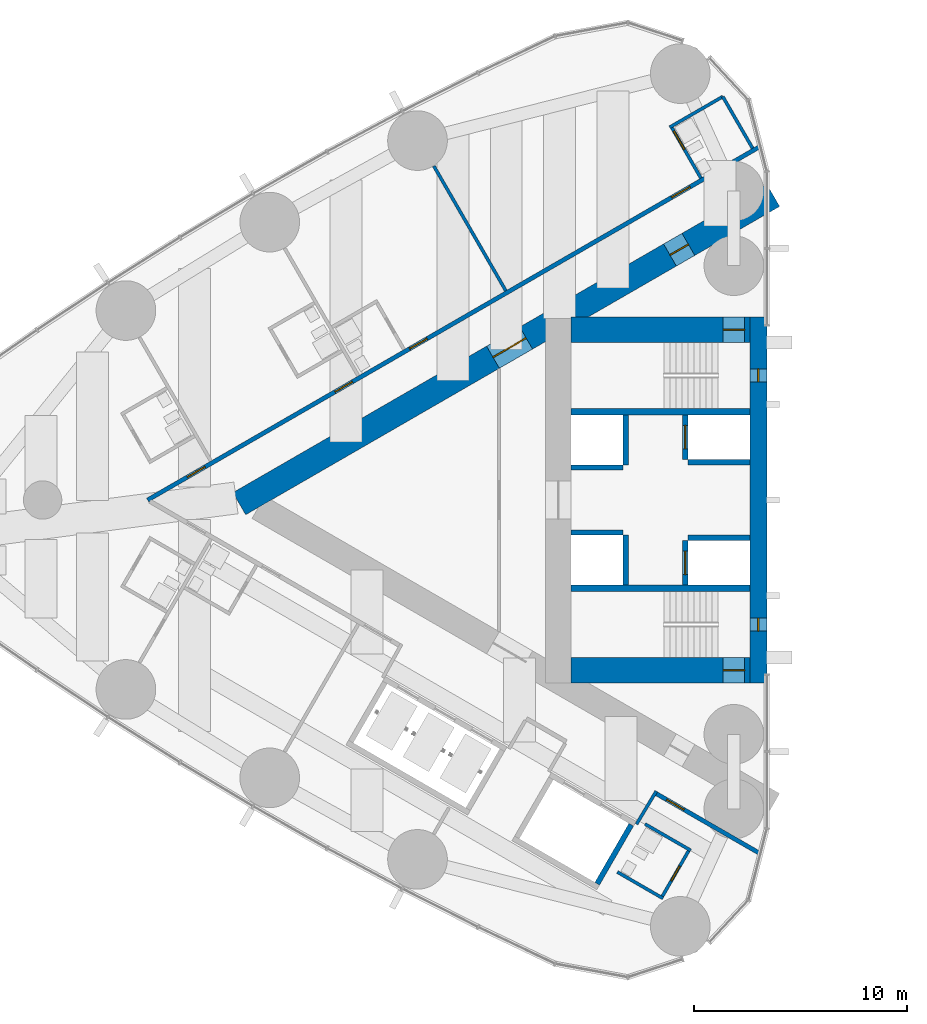
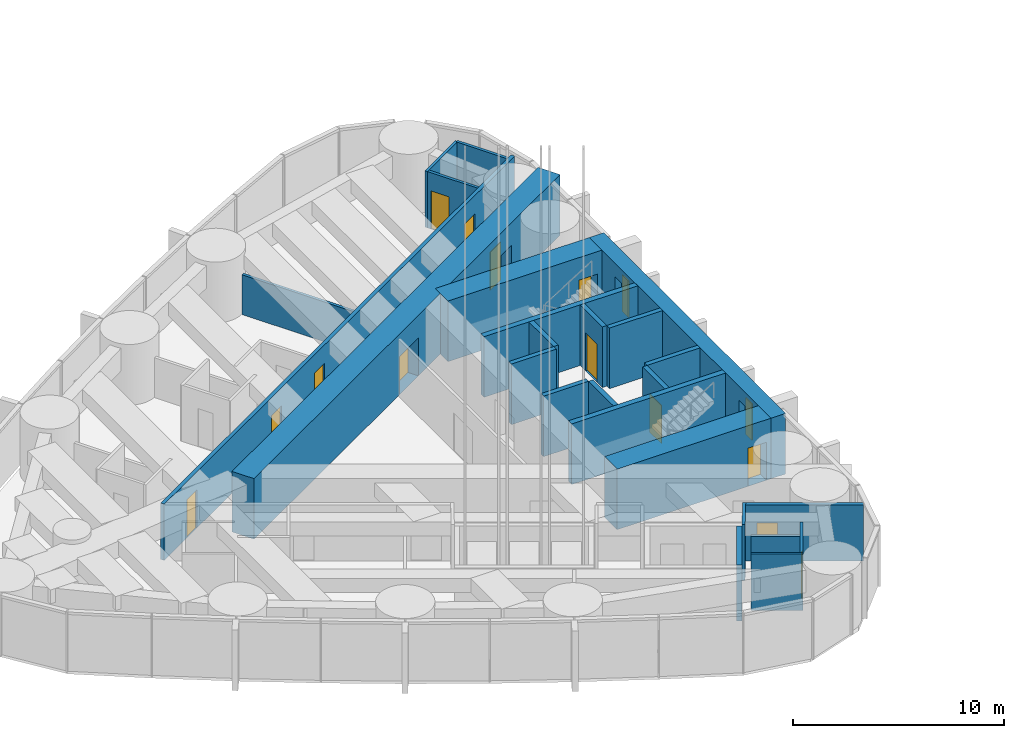
# One storey, part 13 of 21: 25 walls, 13 doors, 2 windows, 15 openings.
"""IFC4 building model written with IfcOpenShell, lengths in metres."""

from ifc_helpers import new_model, si_unit, direction, frame, frame_2d, origin, place, context, subcontext, project, spatial, rectangle, extrude, material, layer, layer_set, type_object, element, fill, save


model = new_model("IFC4")

# Units and contexts
model_context = context("Model", 3, precision=1e-05, world=origin(), true_north=direction((0.0, 1.0)))
body_context = subcontext(model_context, "Body", "Model", "MODEL_VIEW")
ifc_project = project(units=[si_unit("LENGTHUNIT", "METRE"), si_unit("AREAUNIT", "SQUARE_METRE"), si_unit("VOLUMEUNIT", "CUBIC_METRE"), si_unit("PLANEANGLEUNIT", "RADIAN"), si_unit("MASSUNIT", "GRAM", prefix="KILO")], contexts=[model_context])

# Site, building, storey
site_placement = place(None, origin())
site = spatial("IfcSite", under=ifc_project, at=site_placement, CompositionType="ELEMENT")
building_placement = place(site_placement, origin())
building = spatial("IfcBuilding", under=site, at=building_placement, Name="Lancet Gate Hotel", CompositionType="ELEMENT")
storey_placement = place(building_placement, frame((0.0, 0.0, 156.300048828125)))
storey = spatial("IfcBuildingStorey", under=building, at=storey_placement, Name="L41", CompositionType="ELEMENT", Elevation=156.300048828125)

# Wall
ifc_material_1 = material(Name="Moisture resistant board partition")
ifc_layer_1 = layer(ifc_material_1, 0.14990234375)
ifc_layer_set_1 = layer_set([ifc_layer_1], Name="Bathroom wall 150")
wall_type_1 = type_object("IfcWallType", Name="Bathroom wall 150", PredefinedType="PARTITIONING", material=ifc_layer_set_1)
wall_1_placement = place(storey_placement, frame((-29.56982421875, 18.936279296875, 0.0), z_axis=(0.0, 0.0, 1.0), x_axis=(-0.866018712932, -0.500011588718, 0.0)))
element("IfcWall", 1, at=wall_1_placement, inside=storey, type_object=wall_type_1, Name="T1 bathroom wall 150 L41", PredefinedType="PARTITIONING", context=body_context, shape_type="SweptSolid", body=[
    extrude(rectangle(XDim=2.875, YDim=0.14990234375, at=frame_2d((1.4375, 0.0))), origin(), (0.0, 0.0, 1.0), 3.25),
])

# Wall, opening, door
wall_2_placement = place(storey_placement, frame((-30.5947265625, 15.111328125, 0.0), z_axis=(0.0, 0.0, 1.0), x_axis=(-0.49998411664, 0.866034573852, 0.0)))
wall_2 = element("IfcWall", 2, at=wall_2_placement, inside=storey, type_object=wall_type_1, Name="T1 bathroom wall 150 L41", PredefinedType="PARTITIONING", context=body_context, shape_type="SweptSolid", body=[
    extrude(rectangle(XDim=2.7998046875, YDim=0.14990234375, at=frame_2d((1.39990234375, 0.0))), origin(), (0.0, 0.0, 1.0), 3.25),
])
opening_1_placement = place(wall_2_placement, frame((1.550048828125, 0.0, 0.0)))
opening_1 = element("IfcOpeningElement", 3, at=opening_1_placement, cuts=wall_2, Name="Opening 4101-B", PredefinedType="OPENING", context=body_context, shape_type="SweptSolid", body=[
    extrude(rectangle(XDim=1.0, YDim=2.199951171875, at=frame_2d((0.5, 1.10009765625))), frame((0.0, 0.0849609375, 0.0), z_axis=(0.0, -1.0, 0.0), x_axis=(1.0, 0.0, 0.0)), (0.0, 0.0, 1.0), 0.169921875),
])
ifc_material_2 = material(Name="Timber door set", Category="wood")
door_type_1 = type_object("IfcDoorType", Name="Accessible en-suite door 1000", OperationType="SINGLE_SWING_RIGHT", PredefinedType="DOOR", material=ifc_material_2)
door_1_placement = place(opening_1_placement, origin())
door_1 = element("IfcDoor", 4, at=door_1_placement, inside=storey, type_object=door_type_1, Name="4101-B", OperationType="SINGLE_SWING_RIGHT", OverallHeight=2.199951171875, OverallWidth=1.0, PredefinedType="DOOR", context=body_context, shape_type="SweptSolid", body=[
    extrude(rectangle(XDim=1.0, YDim=2.199951171875, at=frame_2d((0.5, 1.10009765625))), frame((0.0, 0.02490234375, 0.0), z_axis=(0.0, -1.0, 0.0), x_axis=(1.0, 0.0, 0.0)), (0.0, 0.0, 1.0), 0.050048828125),
])
fill(opening_1, door_1)

# Walls
wall_3_placement = place(storey_placement, frame((-28.169921875, 16.51123046875, 0.0), z_axis=(0.0, 0.0, 1.0), x_axis=(-0.49994636267, 0.866056369097, 0.0)))
element("IfcWall", 5, at=wall_3_placement, inside=storey, type_object=wall_type_1, Name="T1 bathroom wall 150 L41", PredefinedType="PARTITIONING", context=body_context, shape_type="SweptSolid", body=[
    extrude(rectangle(XDim=2.800048828125, YDim=0.14990234375, at=frame_2d((1.39990234375, 0.0))), origin(), (0.0, 0.0, 1.0), 3.25),
])
wall_4_placement = place(storey_placement, frame((-32.3759765625, -18.70166015625, 0.0), z_axis=(0.0, 0.0, 1.0), x_axis=(-0.866006523861, 0.500032699561, 0.0)))
element("IfcWall", 6, at=wall_4_placement, inside=storey, type_object=wall_type_1, Name="T1 bathroom wall 150 L41", PredefinedType="PARTITIONING", context=body_context, shape_type="SweptSolid", body=[
    extrude(rectangle(XDim=2.474853515625, YDim=0.14990234375, at=frame_2d((1.2373046875, 0.0))), origin(), (0.0, 0.0, 1.0), 3.25),
])

# Wall, opening, door
wall_5_placement = place(storey_placement, frame((-31.140869140625, -16.41259765625, 0.0), z_axis=(0.0, 0.0, 1.0), x_axis=(-0.500006934395, -0.866021400173, 0.0)))
wall_5 = element("IfcWall", 7, at=wall_5_placement, inside=storey, type_object=wall_type_1, Name="T1 bathroom wall 150 L41", PredefinedType="PARTITIONING", context=body_context, shape_type="SweptSolid", body=[
    extrude(rectangle(XDim=2.60009765625, YDim=0.14990234375, at=frame_2d((1.300048828125, 0.0))), origin(), (0.0, 0.0, 1.0), 3.25),
])
opening_2_placement = place(wall_5_placement, frame((0.89990234375, 0.0, 0.0)))
opening_2 = element("IfcOpeningElement", 8, at=opening_2_placement, cuts=wall_5, Name="Opening 4108-B", PredefinedType="OPENING", context=body_context, shape_type="SweptSolid", body=[
    extrude(rectangle(XDim=0.800048828125, YDim=2.199951171875, at=frame_2d((0.39990234375, 1.10009765625))), frame((0.0, 0.0849609375, 0.0), z_axis=(0.0, -1.0, 0.0), x_axis=(1.0, 0.0, 0.0)), (0.0, 0.0, 1.0), 0.169921875),
])
ifc_material_3 = material(Name="Timber door set", Category="wood")
door_type_2 = type_object("IfcDoorType", Name="Bathroom door 800", OperationType="SINGLE_SWING_RIGHT", PredefinedType="DOOR", material=ifc_material_3)
door_2_placement = place(opening_2_placement, origin())
door_2 = element("IfcDoor", 9, at=door_2_placement, inside=storey, type_object=door_type_2, Name="4108-B", OperationType="SINGLE_SWING_RIGHT", OverallHeight=2.199951171875, OverallWidth=0.800048828125, PredefinedType="DOOR", context=body_context, shape_type="SweptSolid", body=[
    extrude(rectangle(XDim=0.800048828125, YDim=2.199951171875, at=frame_2d((0.39990234375, 1.10009765625))), frame((0.0, 0.02490234375, 0.0), z_axis=(0.0, -1.0, 0.0), x_axis=(1.0, 0.0, 0.0)), (0.0, 0.0, 1.0), 0.050048828125),
])
fill(opening_2, door_2)

# Wall
wall_6_placement = place(storey_placement, frame((-31.075927734375, -16.449951171875, 0.0), z_axis=(0.0, 0.0, 1.0), x_axis=(-0.866073894602, 0.499916002032, 0.0)))
element("IfcWall", 10, at=wall_6_placement, inside=storey, type_object=wall_type_1, Name="T1 bathroom wall 150 L41", PredefinedType="PARTITIONING", context=body_context, shape_type="SweptSolid", body=[
    extrude(rectangle(XDim=2.47509765625, YDim=0.14990234375, at=frame_2d((1.237548828125, 0.0))), origin(), (0.0, 0.0, 1.0), 2.449951171875),
])

# Wall, openings, doors
ifc_material_4 = material(Name="Concrete C70/85", Category="concrete")
ifc_layer_2 = layer(ifc_material_4, 1.199951171875)
ifc_layer_set_2 = layer_set([ifc_layer_2], Name="Buttress wall 1200")
wall_type_2 = type_object("IfcWallType", Name="Buttress wall 1200", PredefinedType="SHEAR", material=ifc_layer_set_2)
wall_7_placement = place(storey_placement, frame((-27.199951171875, 14.300048828125, 0.0), z_axis=(0.0, 0.0, 1.0), x_axis=(-0.866026593062, -0.499997940104, 0.0)))
wall_7 = element("IfcWall", 11, at=wall_7_placement, inside=storey, type_object=wall_type_2, Name="T1 buttress wall S L41", PredefinedType="SHEAR", context=body_context, shape_type="SweptSolid", body=[
    extrude(rectangle(XDim=28.9462890625, YDim=1.199951171875, at=frame_2d((14.47314453125, 0.0))), origin(), (0.0, 0.0, 1.0), 3.5),
])
opening_3_placement = place(wall_7_placement, frame((4.60009765625, 0.0, 0.0)))
opening_3 = element("IfcOpeningElement", 12, at=opening_3_placement, cuts=wall_7, Name="Opening T1-L41-LS", PredefinedType="OPENING", context=body_context, shape_type="SweptSolid", body=[
    extrude(rectangle(XDim=1.0, YDim=2.199951171875, at=frame_2d((0.5, 1.10009765625))), frame((0.0, 0.60986328125, 0.0), z_axis=(0.0, -1.0, 0.0), x_axis=(1.0, 0.0, 0.0)), (0.0, 0.0, 1.0), 1.219970703125),
])
opening_4_placement = place(wall_7_placement, frame((13.39453125, 0.0, 0.0)))
opening_4 = element("IfcOpeningElement", 13, at=opening_4_placement, cuts=wall_7, Name="Opening T1-L41-LHS", PredefinedType="OPENING", context=body_context, shape_type="SweptSolid", body=[
    extrude(rectangle(XDim=1.800048828125, YDim=2.199951171875, at=frame_2d((0.89990234375, 1.10009765625))), frame((0.0, 0.60986328125, 0.0), z_axis=(0.0, -1.0, 0.0), x_axis=(1.0, 0.0, 0.0)), (0.0, 0.0, 1.0), 1.219970703125),
])
ifc_material_5 = material(Name="Timber door set", Category="wood")
door_type_3 = type_object("IfcDoorType", Name="Lobby double door 1800", OperationType="DOUBLE_DOOR_SINGLE_SWING", PredefinedType="DOOR", material=ifc_material_5)
door_3_placement = place(opening_4_placement, origin())
door_3 = element("IfcDoor", 14, at=door_3_placement, inside=storey, type_object=door_type_3, Name="T1-L41-LHS", OperationType="DOUBLE_DOOR_SINGLE_SWING", OverallHeight=2.199951171875, OverallWidth=1.800048828125, PredefinedType="DOOR", context=body_context, shape_type="SweptSolid", body=[
    extrude(rectangle(XDim=1.800048828125, YDim=2.199951171875, at=frame_2d((0.89990234375, 1.10009765625))), frame((0.0, 0.02490234375, 0.0), z_axis=(0.0, -1.0, 0.0), x_axis=(1.0, 0.0, 0.0)), (0.0, 0.0, 1.0), 0.050048828125),
])
fill(opening_4, door_3)
ifc_material_6 = material(Name="Timber door set", Category="wood")
door_type_4 = type_object("IfcDoorType", Name="Stair lobby door 1000", OperationType="SINGLE_SWING_LEFT", PredefinedType="DOOR", material=ifc_material_6)
door_4_placement = place(opening_3_placement, origin())
door_4 = element("IfcDoor", 15, at=door_4_placement, inside=storey, type_object=door_type_4, Name="T1-L41-LS", OperationType="SINGLE_SWING_LEFT", OverallHeight=2.199951171875, OverallWidth=1.0, PredefinedType="DOOR", context=body_context, shape_type="SweptSolid", body=[
    extrude(rectangle(XDim=1.0, YDim=2.199951171875, at=frame_2d((0.5, 1.10009765625))), frame((0.0, 0.02490234375, 0.0), z_axis=(0.0, -1.0, 0.0), x_axis=(1.0, 0.0, 0.0)), (0.0, 0.0, 1.0), 0.050048828125),
])
fill(opening_3, door_4)

# Wall, opening, door
ifc_material_7 = material(Name="Concrete C70/85", Category="concrete")
ifc_layer_3 = layer(ifc_material_7, 1.199951171875)
ifc_layer_set_3 = layer_set([ifc_layer_3], Name="Core wall 1200")
wall_type_3 = type_object("IfcWallType", Name="Core wall 1200", PredefinedType="SHEAR", material=ifc_layer_set_3)
wall_8_placement = place(storey_placement, frame((-28.300048828125, 8.0, 0.0), z_axis=(0.0, 0.0, 1.0), x_axis=(-1.0, 0.0, 0.0)))
wall_8 = element("IfcWall", 16, at=wall_8_placement, inside=storey, type_object=wall_type_3, Name="T1 core wall side-S L41", PredefinedType="SHEAR", context=body_context, shape_type="SweptSolid", body=[
    extrude(rectangle(XDim=8.39990234375, YDim=1.199951171875, at=frame_2d((4.199951171875, 0.0))), origin(), (0.0, 0.0, 1.0), 3.5),
])
opening_5_placement = place(wall_8_placement, frame((0.25, 0.0, 0.0)))
opening_5 = element("IfcOpeningElement", 17, at=opening_5_placement, cuts=wall_8, Name="Opening T1-L41-ST1", PredefinedType="OPENING", context=body_context, shape_type="SweptSolid", body=[
    extrude(rectangle(XDim=1.0, YDim=2.199951171875, at=frame_2d((0.5, 1.10009765625))), frame((0.0, 0.60986328125, 0.0), z_axis=(0.0, -1.0, 0.0), x_axis=(1.0, 0.0, 0.0)), (0.0, 0.0, 1.0), 1.219970703125),
])
ifc_material_8 = material(Name="Timber door set", Category="wood")
door_type_5 = type_object("IfcDoorType", Name="Stair door 1000", OperationType="SINGLE_SWING_RIGHT", PredefinedType="DOOR", material=ifc_material_8)
door_5_placement = place(opening_5_placement, origin())
door_5 = element("IfcDoor", 18, at=door_5_placement, inside=storey, type_object=door_type_5, Name="T1-L41-ST1", OperationType="SINGLE_SWING_RIGHT", OverallHeight=2.199951171875, OverallWidth=1.0, PredefinedType="DOOR", context=body_context, shape_type="SweptSolid", body=[
    extrude(rectangle(XDim=1.0, YDim=2.199951171875, at=frame_2d((0.5, 1.10009765625))), frame((0.0, 0.02490234375, 0.0), z_axis=(0.0, -1.0, 0.0), x_axis=(1.0, 0.0, 0.0)), (0.0, 0.0, 1.0), 0.050048828125),
])
fill(opening_5, door_5)

wall_9_placement = place(storey_placement, frame((-28.300048828125, -8.0, 0.0), z_axis=(0.0, 0.0, 1.0), x_axis=(-1.0, 0.0, 0.0)))
wall_9 = element("IfcWall", 19, at=wall_9_placement, inside=storey, type_object=wall_type_3, Name="T1 core wall side-N L41", PredefinedType="SHEAR", context=body_context, shape_type="SweptSolid", body=[
    extrude(rectangle(XDim=8.39990234375, YDim=1.199951171875, at=frame_2d((4.199951171875, 0.0))), origin(), (0.0, 0.0, 1.0), 3.5),
])
opening_6_placement = place(wall_9_placement, frame((0.25, 0.0, 0.0)))
opening_6 = element("IfcOpeningElement", 20, at=opening_6_placement, cuts=wall_9, Name="Opening T1-L41-ST2", PredefinedType="OPENING", context=body_context, shape_type="SweptSolid", body=[
    extrude(rectangle(XDim=1.0, YDim=2.199951171875, at=frame_2d((0.5, 1.10009765625))), frame((0.0, 0.60986328125, 0.0), z_axis=(0.0, -1.0, 0.0), x_axis=(1.0, 0.0, 0.0)), (0.0, 0.0, 1.0), 1.219970703125),
])
door_6_placement = place(opening_6_placement, origin())
door_6 = element("IfcDoor", 21, at=door_6_placement, inside=storey, type_object=door_type_5, Name="T1-L41-ST2", OperationType="SINGLE_SWING_RIGHT", OverallHeight=2.199951171875, OverallWidth=1.0, PredefinedType="DOOR", context=body_context, shape_type="SweptSolid", body=[
    extrude(rectangle(XDim=1.0, YDim=2.199951171875, at=frame_2d((0.5, 1.10009765625))), frame((0.0, 0.02490234375, 0.0), z_axis=(0.0, -1.0, 0.0), x_axis=(1.0, 0.0, 0.0)), (0.0, 0.0, 1.0), 0.050048828125),
])
fill(opening_6, door_6)

# Wall, openings, windows
ifc_material_9 = material(Name="Concrete C70/85", Category="concrete")
ifc_layer_4 = layer(ifc_material_9, 0.800048828125)
ifc_layer_set_4 = layer_set([ifc_layer_4], Name="Core wall 800")
wall_type_4 = type_object("IfcWallType", Name="Core wall 800", PredefinedType="SHEAR", material=ifc_layer_set_4)
wall_10_placement = place(storey_placement, frame((-27.89990234375, 8.60009765625, 0.0), z_axis=(0.0, 0.0, 1.0), x_axis=(0.0, -1.0, 0.0)))
wall_10 = element("IfcWall", 22, at=wall_10_placement, inside=storey, type_object=wall_type_4, Name="T1 core wall front L41", PredefinedType="SHEAR", context=body_context, shape_type="SweptSolid", body=[
    extrude(rectangle(XDim=17.2001953125, YDim=0.800048828125, at=frame_2d((8.60009765625, 0.0))), origin(), (0.0, 0.0, 1.0), 3.5),
])
opening_7_placement = place(wall_10_placement, frame((2.449951171875, 0.0, 0.60009765625)))
opening_7 = element("IfcOpeningElement", 23, at=opening_7_placement, cuts=wall_10, Name="Opening LW1", PredefinedType="OPENING", context=body_context, shape_type="SweptSolid", body=[
    extrude(rectangle(XDim=0.60009765625, YDim=2.10009765625, at=frame_2d((0.300048828125, 1.050048828125))), frame((0.0, 0.409912109375, 0.0), z_axis=(0.0, -1.0, 0.0), x_axis=(1.0, 0.0, 0.0)), (0.0, 0.0, 1.0), 0.820068359375),
])
opening_8_placement = place(wall_10_placement, frame((14.14990234375, 0.0, 0.60009765625)))
opening_8 = element("IfcOpeningElement", 24, at=opening_8_placement, cuts=wall_10, Name="Opening LW1", PredefinedType="OPENING", context=body_context, shape_type="SweptSolid", body=[
    extrude(rectangle(XDim=0.60009765625, YDim=2.10009765625, at=frame_2d((0.300048828125, 1.050048828125))), frame((0.0, 0.409912109375, 0.0), z_axis=(0.0, -1.0, 0.0), x_axis=(1.0, 0.0, 0.0)), (0.0, 0.0, 1.0), 0.820068359375),
])
ifc_material_10 = material(Name="Fire-resisting glazed steel window", Category="steel")
window_type = type_object("IfcWindowType", Name="Lancet window 600x2100", PartitioningType="SINGLE_PANEL", PredefinedType="WINDOW", material=ifc_material_10)
window_1_placement = place(opening_7_placement, origin())
window_1 = element("IfcWindow", 25, at=window_1_placement, inside=storey, type_object=window_type, Name="T1 stair window S L41", OverallHeight=2.10009765625, OverallWidth=0.60009765625, PartitioningType="SINGLE_PANEL", PredefinedType="WINDOW", context=body_context, shape_type="SweptSolid", body=[
    extrude(rectangle(XDim=0.60009765625, YDim=2.10009765625, at=frame_2d((0.300048828125, 1.050048828125))), frame((0.0, 0.030029296875, 0.0), z_axis=(0.0, -1.0, 0.0), x_axis=(1.0, 0.0, 0.0)), (0.0, 0.0, 1.0), 0.06005859375),
])
fill(opening_7, window_1)
window_2_placement = place(opening_8_placement, origin())
window_2 = element("IfcWindow", 26, at=window_2_placement, inside=storey, type_object=window_type, Name="T1 stair window N L41", OverallHeight=2.10009765625, OverallWidth=0.60009765625, PartitioningType="SINGLE_PANEL", PredefinedType="WINDOW", context=body_context, shape_type="SweptSolid", body=[
    extrude(rectangle(XDim=0.60009765625, YDim=2.10009765625, at=frame_2d((0.300048828125, 1.050048828125))), frame((0.0, 0.030029296875, 0.0), z_axis=(0.0, -1.0, 0.0), x_axis=(1.0, 0.0, 0.0)), (0.0, 0.0, 1.0), 0.06005859375),
])
fill(opening_8, window_2)

# Wall, openings, doors
ifc_material_11 = material(Name="Gypsum board partition")
ifc_layer_5 = layer(ifc_material_11, 0.199951171875)
ifc_layer_set_5 = layer_set([ifc_layer_5], Name="Corridor wall 200")
wall_type_5 = type_object("IfcWallType", Name="Corridor wall 200", PredefinedType="PARTITIONING", material=ifc_layer_set_5)
wall_11_placement = place(storey_placement, frame((-27.860107421875, 16.57470703125, 0.0), z_axis=(0.0, 0.0, 1.0), x_axis=(-0.866025533911, -0.499999774615, 0.0)))
wall_11 = element("IfcWall", 27, at=wall_11_placement, inside=storey, type_object=wall_type_5, Name="T1 corridor wall 200 L41", PredefinedType="PARTITIONING", context=body_context, shape_type="SweptSolid", body=[
    extrude(rectangle(XDim=33.1494140625, YDim=0.199951171875, at=frame_2d((16.57470703125, 0.0))), origin(), (0.0, 0.0, 1.0), 3.25),
])
opening_9_placement = place(wall_11_placement, frame((3.75, 0.0, 0.0)))
opening_9 = element("IfcOpeningElement", 28, at=opening_9_placement, cuts=wall_11, Name="Opening 4101-E", PredefinedType="OPENING", context=body_context, shape_type="SweptSolid", body=[
    extrude(rectangle(XDim=1.0, YDim=2.199951171875, at=frame_2d((0.5, 1.10009765625))), frame((0.0, 0.10986328125, 0.0), z_axis=(0.0, -1.0, 0.0), x_axis=(1.0, 0.0, 0.0)), (0.0, 0.0, 1.0), 0.219970703125),
])
opening_10_placement = place(wall_11_placement, frame((17.997314453125, 0.0, 0.0)))
opening_10 = element("IfcOpeningElement", 29, at=opening_10_placement, cuts=wall_11, Name="Opening 4102-E", PredefinedType="OPENING", context=body_context, shape_type="SweptSolid", body=[
    extrude(rectangle(XDim=0.949951171875, YDim=2.199951171875, at=frame_2d((0.47509765625, 1.10009765625))), frame((0.0, 0.10986328125, 0.0), z_axis=(0.0, -1.0, 0.0), x_axis=(1.0, 0.0, 0.0)), (0.0, 0.0, 1.0), 0.219970703125),
])
opening_11_placement = place(wall_11_placement, frame((22.04736328125, 0.0, 0.0)))
opening_11 = element("IfcOpeningElement", 30, at=opening_11_placement, cuts=wall_11, Name="Opening 4103-E", PredefinedType="OPENING", context=body_context, shape_type="SweptSolid", body=[
    extrude(rectangle(XDim=0.949951171875, YDim=2.199951171875, at=frame_2d((0.47509765625, 1.10009765625))), frame((0.0, 0.10986328125, 0.0), z_axis=(0.0, -1.0, 0.0), x_axis=(1.0, 0.0, 0.0)), (0.0, 0.0, 1.0), 0.219970703125),
])
opening_12_placement = place(wall_11_placement, frame((30.04150390625, 0.0, 0.0)))
opening_12 = element("IfcOpeningElement", 31, at=opening_12_placement, cuts=wall_11, Name="Opening 4104-E", PredefinedType="OPENING", context=body_context, shape_type="SweptSolid", body=[
    extrude(rectangle(XDim=0.949951171875, YDim=2.199951171875, at=frame_2d((0.47509765625, 1.10009765625))), frame((0.0, 0.10986328125, 0.0), z_axis=(0.0, -1.0, 0.0), x_axis=(1.0, 0.0, 0.0)), (0.0, 0.0, 1.0), 0.219970703125),
])
ifc_material_12 = material(Name="Timber door set", Category="wood")
door_type_6 = type_object("IfcDoorType", Name="Accessible guest room door 1000", OperationType="SINGLE_SWING_LEFT", PredefinedType="DOOR", material=ifc_material_12)
door_7_placement = place(opening_9_placement, origin())
door_7 = element("IfcDoor", 32, at=door_7_placement, inside=storey, type_object=door_type_6, Name="4101-E", OperationType="SINGLE_SWING_LEFT", OverallHeight=2.199951171875, OverallWidth=1.0, PredefinedType="DOOR", context=body_context, shape_type="SweptSolid", body=[
    extrude(rectangle(XDim=1.0, YDim=2.199951171875, at=frame_2d((0.5, 1.10009765625))), frame((0.0, 0.02490234375, 0.0), z_axis=(0.0, -1.0, 0.0), x_axis=(1.0, 0.0, 0.0)), (0.0, 0.0, 1.0), 0.050048828125),
])
fill(opening_9, door_7)
ifc_material_13 = material(Name="Timber door set", Category="wood")
door_type_7 = type_object("IfcDoorType", Name="Guest room entry door 950", OperationType="SINGLE_SWING_LEFT", PredefinedType="DOOR", material=ifc_material_13)
door_8_placement = place(opening_10_placement, origin())
door_8 = element("IfcDoor", 33, at=door_8_placement, inside=storey, type_object=door_type_7, Name="4102-E", OperationType="SINGLE_SWING_LEFT", OverallHeight=2.199951171875, OverallWidth=0.949951171875, PredefinedType="DOOR", context=body_context, shape_type="SweptSolid", body=[
    extrude(rectangle(XDim=0.949951171875, YDim=2.199951171875, at=frame_2d((0.47509765625, 1.10009765625))), frame((0.0, 0.02490234375, 0.0), z_axis=(0.0, -1.0, 0.0), x_axis=(1.0, 0.0, 0.0)), (0.0, 0.0, 1.0), 0.050048828125),
])
fill(opening_10, door_8)
door_9_placement = place(opening_11_placement, origin())
door_9 = element("IfcDoor", 34, at=door_9_placement, inside=storey, type_object=door_type_7, Name="4103-E", OperationType="SINGLE_SWING_LEFT", OverallHeight=2.199951171875, OverallWidth=0.949951171875, PredefinedType="DOOR", context=body_context, shape_type="SweptSolid", body=[
    extrude(rectangle(XDim=0.949951171875, YDim=2.199951171875, at=frame_2d((0.47509765625, 1.10009765625))), frame((0.0, 0.02490234375, 0.0), z_axis=(0.0, -1.0, 0.0), x_axis=(1.0, 0.0, 0.0)), (0.0, 0.0, 1.0), 0.050048828125),
])
fill(opening_11, door_9)
door_10_placement = place(opening_12_placement, origin())
door_10 = element("IfcDoor", 35, at=door_10_placement, inside=storey, type_object=door_type_7, Name="4104-E", OperationType="SINGLE_SWING_LEFT", OverallHeight=2.199951171875, OverallWidth=0.949951171875, PredefinedType="DOOR", context=body_context, shape_type="SweptSolid", body=[
    extrude(rectangle(XDim=0.949951171875, YDim=2.199951171875, at=frame_2d((0.47509765625, 1.10009765625))), frame((0.0, 0.02490234375, 0.0), z_axis=(0.0, -1.0, 0.0), x_axis=(1.0, 0.0, 0.0)), (0.0, 0.0, 1.0), 0.050048828125),
])
fill(opening_12, door_10)

# Wall, opening, door
wall_12_placement = place(storey_placement, frame((-27.860107421875, -16.57470703125, 0.0), z_axis=(0.0, 0.0, 1.0), x_axis=(-0.866019269751, 0.500010624307, 0.0)))
wall_12 = element("IfcWall", 36, at=wall_12_placement, inside=storey, type_object=wall_type_5, Name="T1 corridor wall 200 L41", PredefinedType="PARTITIONING", context=body_context, shape_type="SweptSolid", body=[
    extrude(rectangle(XDim=5.62255859375, YDim=0.199951171875, at=frame_2d((2.811279296875, 0.0))), origin(), (0.0, 0.0, 1.0), 3.25),
])
opening_13_placement = place(wall_12_placement, frame((4.072509765625, 0.0, 0.0)))
opening_13 = element("IfcOpeningElement", 37, at=opening_13_placement, cuts=wall_12, Name="Opening 4108-E", PredefinedType="OPENING", context=body_context, shape_type="SweptSolid", body=[
    extrude(rectangle(XDim=0.949951171875, YDim=2.199951171875, at=frame_2d((0.47509765625, 1.10009765625))), frame((0.0, 0.10986328125, 0.0), z_axis=(0.0, -1.0, 0.0), x_axis=(1.0, 0.0, 0.0)), (0.0, 0.0, 1.0), 0.219970703125),
])
door_11_placement = place(opening_13_placement, origin())
door_11 = element("IfcDoor", 38, at=door_11_placement, inside=storey, type_object=door_type_7, Name="4108-E", OperationType="SINGLE_SWING_LEFT", OverallHeight=2.199951171875, OverallWidth=0.949951171875, PredefinedType="DOOR", context=body_context, shape_type="SweptSolid", body=[
    extrude(rectangle(XDim=0.949951171875, YDim=2.199951171875, at=frame_2d((0.47509765625, 1.10009765625))), frame((0.0, 0.02490234375, 0.0), z_axis=(0.0, -1.0, 0.0), x_axis=(1.0, 0.0, 0.0)), (0.0, 0.0, 1.0), 0.050048828125),
])
fill(opening_13, door_11)

# Wall
ifc_material_14 = material(Name="Gypsum board partition")
ifc_layer_6 = layer(ifc_material_14, 0.25)
ifc_layer_set_6 = layer_set([ifc_layer_6], Name="Lift shaft partition 250")
wall_type_6 = type_object("IfcWallType", Name="Lift shaft partition 250", PredefinedType="PARTITIONING", material=ifc_layer_set_6)
wall_13_placement = place(storey_placement, frame((-33.8662109375, -15.242919921875, 0.0), z_axis=(0.0, 0.0, 1.0), x_axis=(-0.499929347863, -0.866066190972, 0.0)))
element("IfcWall", 39, at=wall_13_placement, inside=storey, type_object=wall_type_6, Name="T1 lift shaft wall EX L41", PredefinedType="PARTITIONING", context=body_context, shape_type="SweptSolid", body=[
    extrude(rectangle(XDim=3.20068359375, YDim=0.25, at=frame_2d((1.600341796875, 0.0))), origin(), (0.0, 0.0, 1.0), 3.25),
])

# Wall, opening, door
ifc_material_15 = material(Name="Concrete C50/60", Category="concrete")
ifc_layer_7 = layer(ifc_material_15, 0.25)
ifc_layer_set_7 = layer_set([ifc_layer_7], Name="Lift shaft wall 250")
wall_type_7 = type_object("IfcWallType", Name="Lift shaft wall 250", PredefinedType="SHEAR", material=ifc_layer_set_7)
wall_14_placement = place(storey_placement, frame((-31.324951171875, 4.0, 0.0), z_axis=(0.0, 0.0, 1.0), x_axis=(0.0, -1.0, 0.0)))
wall_14 = element("IfcWall", 40, at=wall_14_placement, inside=storey, type_object=wall_type_7, Name="T1 core wall row1-S L41", PredefinedType="SHEAR", context=body_context, shape_type="SweptSolid", body=[
    extrude(rectangle(XDim=2.10009765625, YDim=0.25, at=frame_2d((1.050048828125, 0.0))), origin(), (0.0, 0.0, 1.0), 3.5),
])
opening_14_placement = place(wall_14_placement, frame((0.5, 0.0, 0.0)))
opening_14 = element("IfcOpeningElement", 41, at=opening_14_placement, cuts=wall_14, Name="Opening T1-SL1-L41", PredefinedType="OPENING", context=body_context, shape_type="SweptSolid", body=[
    extrude(rectangle(XDim=1.10009765625, YDim=2.199951171875, at=frame_2d((0.550048828125, 1.10009765625))), frame((0.0, 0.135009765625, 0.0), z_axis=(0.0, -1.0, 0.0), x_axis=(1.0, 0.0, 0.0)), (0.0, 0.0, 1.0), 0.27001953125),
])
ifc_material_16 = material(Name="Timber door set", Category="wood")
door_type_8 = type_object("IfcDoorType", Name="Service lift landing door 1100", OperationType="SLIDING_TO_LEFT", PredefinedType="USERDEFINED", material=ifc_material_16)
door_12_placement = place(opening_14_placement, origin())
door_12 = element("IfcDoor", 42, at=door_12_placement, inside=storey, type_object=door_type_8, Name="T1-SL1-L41", ObjectType="LIFT LANDING DOOR", OperationType="SLIDING_TO_LEFT", OverallHeight=2.199951171875, OverallWidth=1.10009765625, PredefinedType="USERDEFINED", context=body_context, shape_type="SweptSolid", body=[
    extrude(rectangle(XDim=1.10009765625, YDim=2.199951171875, at=frame_2d((0.550048828125, 1.10009765625))), frame((0.0, 0.02490234375, 0.0), z_axis=(0.0, -1.0, 0.0), x_axis=(1.0, 0.0, 0.0)), (0.0, 0.0, 1.0), 0.050048828125),
])
fill(opening_14, door_12)

# Walls
wall_15_placement = place(storey_placement, frame((-34.125, 4.0, 0.0), z_axis=(0.0, 0.0, 1.0), x_axis=(0.0, -1.0, 0.0)))
element("IfcWall", 43, at=wall_15_placement, inside=storey, type_object=wall_type_7, Name="T1 core wall row2-S L41", PredefinedType="SHEAR", context=body_context, shape_type="SweptSolid", body=[
    extrude(rectangle(XDim=2.35009765625, YDim=0.25, at=frame_2d((1.175048828125, 0.0))), origin(), (0.0, 0.0, 1.0), 3.5),
])
wall_16_placement = place(storey_placement, frame((-28.300048828125, 1.77490234375, 0.0), z_axis=(0.0, 0.0, 1.0), x_axis=(-1.0, 0.0, 0.0)))
element("IfcWall", 44, at=wall_16_placement, inside=storey, type_object=wall_type_7, Name="T1 core wall pass1-S L41", PredefinedType="SHEAR", context=body_context, shape_type="SweptSolid", body=[
    extrude(rectangle(XDim=2.89990234375, YDim=0.25, at=frame_2d((1.449951171875, 0.0))), origin(), (0.0, 0.0, 1.0), 3.5),
])
wall_17_placement = place(storey_placement, frame((-34.25, 1.52490234375, 0.0), z_axis=(0.0, 0.0, 1.0), x_axis=(-1.0, 0.0, 0.0)))
element("IfcWall", 45, at=wall_17_placement, inside=storey, type_object=wall_type_7, Name="T1 core wall pass2-S L41", PredefinedType="SHEAR", context=body_context, shape_type="SweptSolid", body=[
    extrude(rectangle(XDim=2.449951171875, YDim=0.25, at=frame_2d((1.22509765625, 0.0))), origin(), (0.0, 0.0, 1.0), 3.5),
])

# Wall, opening, door
wall_18_placement = place(storey_placement, frame((-31.324951171875, -1.89990234375, 0.0), z_axis=(0.0, 0.0, 1.0), x_axis=(0.0, -1.0, 0.0)))
wall_18 = element("IfcWall", 46, at=wall_18_placement, inside=storey, type_object=wall_type_7, Name="T1 core wall row1-N L41", PredefinedType="SHEAR", context=body_context, shape_type="SweptSolid", body=[
    extrude(rectangle(XDim=2.10009765625, YDim=0.25, at=frame_2d((1.050048828125, 0.0))), origin(), (0.0, 0.0, 1.0), 3.5),
])
opening_15_placement = place(wall_18_placement, frame((0.5, 0.0, 0.0)))
opening_15 = element("IfcOpeningElement", 47, at=opening_15_placement, cuts=wall_18, Name="Opening T1-FL2-L41", PredefinedType="OPENING", context=body_context, shape_type="SweptSolid", body=[
    extrude(rectangle(XDim=1.10009765625, YDim=2.199951171875, at=frame_2d((0.550048828125, 1.10009765625))), frame((0.0, 0.135009765625, 0.0), z_axis=(0.0, -1.0, 0.0), x_axis=(1.0, 0.0, 0.0)), (0.0, 0.0, 1.0), 0.27001953125),
])
ifc_material_17 = material(Name="Steel door set", Category="steel")
door_type_9 = type_object("IfcDoorType", Name="Firefighting lift landing door 1100", OperationType="SLIDING_TO_LEFT", PredefinedType="USERDEFINED", material=ifc_material_17)
door_13_placement = place(opening_15_placement, origin())
door_13 = element("IfcDoor", 48, at=door_13_placement, inside=storey, type_object=door_type_9, Name="T1-FL2-L41", ObjectType="LIFT LANDING DOOR", OperationType="SLIDING_TO_LEFT", OverallHeight=2.199951171875, OverallWidth=1.10009765625, PredefinedType="USERDEFINED", context=body_context, shape_type="SweptSolid", body=[
    extrude(rectangle(XDim=1.10009765625, YDim=2.199951171875, at=frame_2d((0.550048828125, 1.10009765625))), frame((0.0, 0.02490234375, 0.0), z_axis=(0.0, -1.0, 0.0), x_axis=(1.0, 0.0, 0.0)), (0.0, 0.0, 1.0), 0.050048828125),
])
fill(opening_15, door_13)

# Walls
wall_19_placement = place(storey_placement, frame((-34.125, -1.64990234375, 0.0), z_axis=(0.0, 0.0, 1.0), x_axis=(0.0, -1.0, 0.0)))
element("IfcWall", 49, at=wall_19_placement, inside=storey, type_object=wall_type_7, Name="T1 core wall row2-N L41", PredefinedType="SHEAR", context=body_context, shape_type="SweptSolid", body=[
    extrude(rectangle(XDim=2.35009765625, YDim=0.25, at=frame_2d((1.175048828125, 0.0))), origin(), (0.0, 0.0, 1.0), 3.5),
])
wall_20_placement = place(storey_placement, frame((-28.300048828125, -1.77490234375, 0.0), z_axis=(0.0, 0.0, 1.0), x_axis=(-1.0, 0.0, 0.0)))
element("IfcWall", 50, at=wall_20_placement, inside=storey, type_object=wall_type_7, Name="T1 core wall pass1-N L41", PredefinedType="SHEAR", context=body_context, shape_type="SweptSolid", body=[
    extrude(rectangle(XDim=2.89990234375, YDim=0.25, at=frame_2d((1.449951171875, 0.0))), origin(), (0.0, 0.0, 1.0), 3.5),
])
wall_21_placement = place(storey_placement, frame((-34.25, -1.52490234375, 0.0), z_axis=(0.0, 0.0, 1.0), x_axis=(-1.0, 0.0, 0.0)))
element("IfcWall", 51, at=wall_21_placement, inside=storey, type_object=wall_type_7, Name="T1 core wall pass2-N L41", PredefinedType="SHEAR", context=body_context, shape_type="SweptSolid", body=[
    extrude(rectangle(XDim=2.449951171875, YDim=0.25, at=frame_2d((1.22509765625, 0.0))), origin(), (0.0, 0.0, 1.0), 3.5),
])
ifc_material_18 = material(Name="Gypsum board partition")
ifc_layer_8 = layer(ifc_material_18, 0.14990234375)
ifc_layer_set_8 = layer_set([ifc_layer_8], Name="Party wall 150")
wall_type_8 = type_object("IfcWallType", Name="Party wall 150", PredefinedType="PARTITIONING", material=ifc_layer_set_8)
wall_22_placement = place(storey_placement, frame((-39.75439453125, 9.822998046875, 0.0), z_axis=(0.0, 0.0, 1.0), x_axis=(-0.499997670926, 0.866026748472, 0.0)))
element("IfcWall", 52, at=wall_22_placement, inside=storey, type_object=wall_type_8, Name="T1 party wall 150 L41", PredefinedType="PARTITIONING", context=body_context, shape_type="SweptSolid", body=[
    extrude(rectangle(XDim=6.75732421875, YDim=0.14990234375, at=frame_2d((3.378662109375, 0.0))), origin(), (0.0, 0.0, 1.0), 2.300048828125),
])
ifc_material_19 = material(Name="Gypsum board partition")
ifc_layer_9 = layer(ifc_material_19, 0.14990234375)
ifc_layer_set_9 = layer_set([ifc_layer_9], Name="Service room wall 150")
wall_type_9 = type_object("IfcWallType", Name="Service room wall 150", PredefinedType="PARTITIONING", material=ifc_layer_set_9)
wall_23_placement = place(storey_placement, frame((-33.62060546875, -15.217529296875, 0.0), z_axis=(0.0, 0.0, 1.0), x_axis=(0.514336634837, 0.857588377991, 0.0)))
element("IfcWall", 53, at=wall_23_placement, inside=storey, type_object=wall_type_9, Name="T1 service room wall 150 L41", PredefinedType="PARTITIONING", context=body_context, shape_type="SweptSolid", body=[
    extrude(rectangle(XDim=1.80517578125, YDim=0.14990234375, at=frame_2d((0.902587890625, 0.0))), origin(), (0.0, 0.0, 1.0), 3.25),
])
ifc_material_20 = material(Name="Concrete C50/60", Category="concrete")
ifc_layer_10 = layer(ifc_material_20, 0.300048828125)
ifc_layer_set_10 = layer_set([ifc_layer_10], Name="Stair enclosure wall 300")
wall_type_10 = type_object("IfcWallType", Name="Stair enclosure wall 300", PredefinedType="SHEAR", material=ifc_layer_set_10)
for number, where, z_axis, x_axis, name in (
    (54, (-28.300048828125, 4.14990234375, 0.0), (0.0, 0.0, 1.0), (-1.0, 0.0, 0.0), "T1 core wall stair-S L41"),
    (55, (-28.300048828125, -4.14990234375, 0.0), (0.0, 0.0, 1.0), (-1.0, 0.0, 0.0), "T1 core wall stair-N L41"),
):
    element("IfcWall", number, at=place(storey_placement, frame(where, z_axis=z_axis, x_axis=x_axis)), inside=storey, type_object=wall_type_10, Name=name, PredefinedType="SHEAR", context=body_context, shape_type="SweptSolid", body=[
        extrude(rectangle(XDim=8.39990234375, YDim=0.300048828125, at=frame_2d((4.199951171875, 0.0))), origin(), (0.0, 0.0, 1.0), 3.5),
    ])

save(model, "model.ifc")
